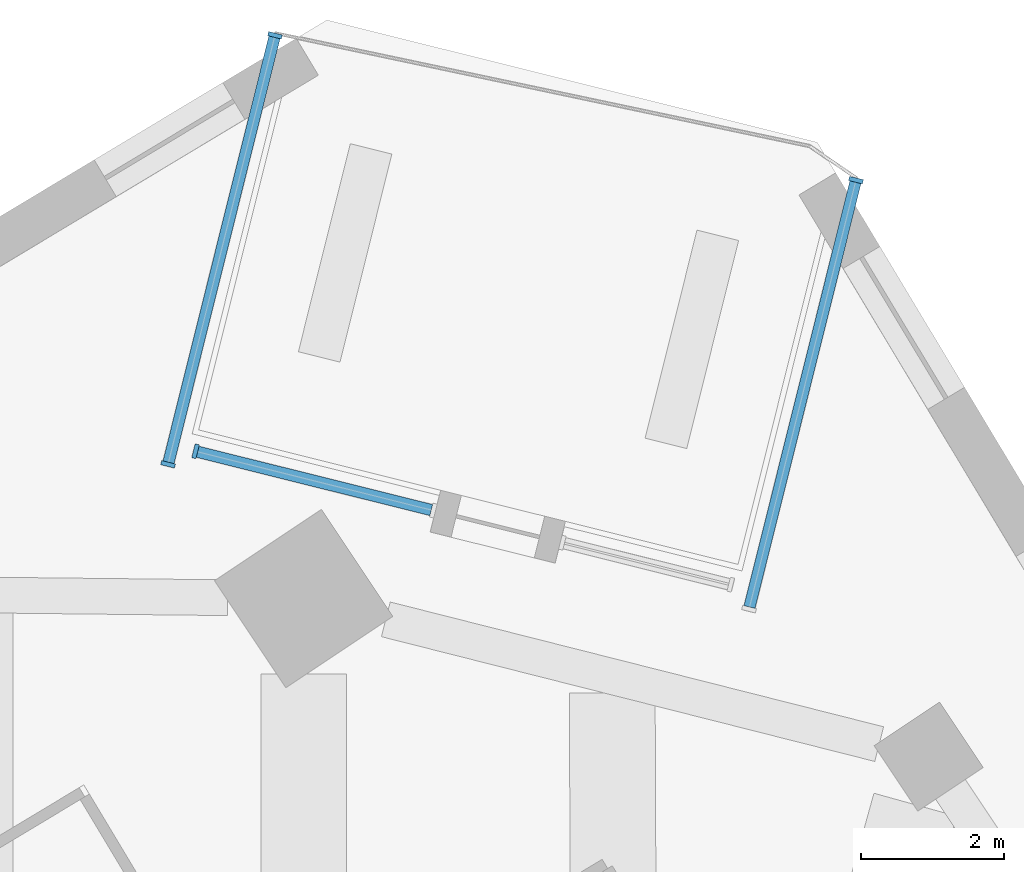
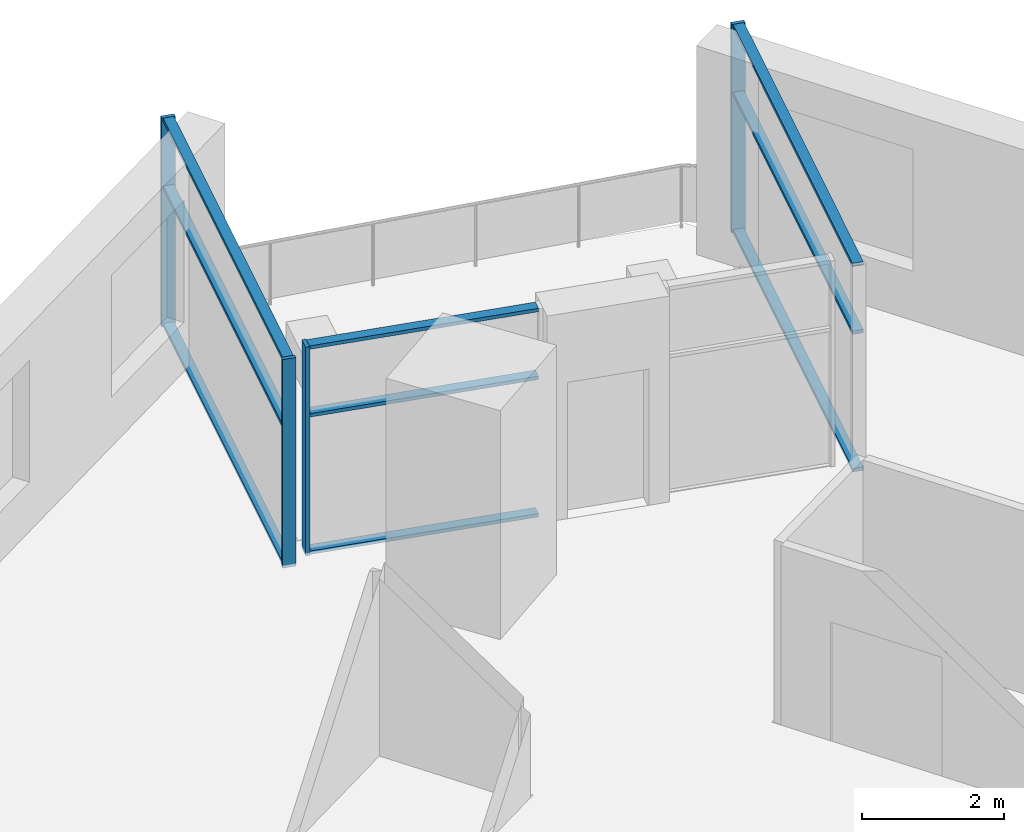
# One storey, part 4 of 14: 13 members, 3 elements without a shape of their own.
"""IFC4 building model written with IfcOpenShell, lengths in metres."""

from ifc_helpers import new_model, si_unit, direction, frame, origin, origin_2d, place, context, subcontext, project, spatial, rectangle, extrude, material, material_profile, profile_set, type_object, element, aggregate, save


model = new_model("IFC4")

# Units and contexts
model_context = context("Model", 3, precision=1e-05, world=origin(), true_north=direction((0.0, 1.0)))
body_context = subcontext(model_context, "Body", "Model", "MODEL_VIEW")
ifc_project = project(units=[si_unit("LENGTHUNIT", "METRE"), si_unit("AREAUNIT", "SQUARE_METRE"), si_unit("VOLUMEUNIT", "CUBIC_METRE"), si_unit("PLANEANGLEUNIT", "RADIAN"), si_unit("MASSUNIT", "GRAM", prefix="KILO")], contexts=[model_context])

# Site, building, storey
site_placement = place(None, origin())
site = spatial("IfcSite", under=ifc_project, at=site_placement, CompositionType="ELEMENT")
building_placement = place(site_placement, origin())
building = spatial("IfcBuilding", under=site, at=building_placement, Name="Dilmun Exchange Tower", CompositionType="ELEMENT")
storey_placement = place(building_placement, frame((0.0, 0.0, 151.699951171875)))
storey = spatial("IfcBuildingStorey", under=building, at=storey_placement, Name="L35", CompositionType="ELEMENT", Elevation=151.699951171875)

# Curtain wall, member
ifc_material_1 = material(Name="Anodised aluminium and clear glass", Category="aluminium")
curtain_wall_type = type_object("IfcCurtainWallType", Name="Garden corner glazing", PredefinedType="NOTDEFINED", material=ifc_material_1)
curtain_wall_1_placement = place(storey_placement, origin())
curtain_wall_1 = element("IfcCurtainWall", 1, at=curtain_wall_1_placement, inside=storey, type_object=curtain_wall_type, Name="Garden corner glazing run GC1.1", PredefinedType="NOTDEFINED")
ifc_material_2 = material(Name="Anodised aluminium", Category="aluminium")
ifc_material_profile_1 = material_profile(ifc_material_2, rectangle(XDim=0.199951171875, YDim=0.06005859375, at=origin_2d()), Name="AL 60x200")
ifc_profile_set_1 = profile_set([ifc_material_profile_1], Name="Anodised aluminium")
member_type_1 = type_object("IfcMemberType", Name="Garden corner glazing mullion 60 x 200", PredefinedType="MULLION", material=ifc_profile_set_1)
member_1_placement = place(storey_placement, frame((15.234619140625, 33.264404296875, 0.0), z_axis=(0.0, 0.0, 1.0), x_axis=(0.970297683836, -0.241914044119, 0.0)))
member_1 = element("IfcMember", 2, at=member_1_placement, type_object=member_type_1, Name="GC1.1 mullion 1", PredefinedType="MULLION", context=body_context, shape_type="SweptSolid", body=[
    extrude(rectangle(XDim=0.199951171875, YDim=0.06005859375, at=origin_2d()), origin(), (0.0, 0.0, 1.0), 3.60009765625),
])

curtain_wall_2_placement = place(storey_placement, origin())
curtain_wall_2 = element("IfcCurtainWall", 3, at=curtain_wall_2_placement, inside=storey, type_object=curtain_wall_type, Name="Garden corner glazing run GC2.3", PredefinedType="NOTDEFINED")
member_2_placement = place(storey_placement, frame((5.994140625, 29.470458984375, 0.0), z_axis=(0.0, 0.0, 1.0), x_axis=(-0.24189492487, -0.970302450436, 0.0)))
member_2 = element("IfcMember", 4, at=member_2_placement, type_object=member_type_1, Name="GC2.3 mullion 2", PredefinedType="MULLION", context=body_context, shape_type="SweptSolid", body=[
    extrude(rectangle(XDim=0.199951171875, YDim=0.06005859375, at=origin_2d()), origin(), (0.0, 0.0, 1.0), 3.60009765625),
])

# Curtain wall, members
curtain_wall_3_placement = place(storey_placement, origin())
curtain_wall_3 = element("IfcCurtainWall", 5, at=curtain_wall_3_placement, inside=storey, type_object=curtain_wall_type, Name="Garden corner glazing run GC3.1", PredefinedType="NOTDEFINED")
member_3_placement = place(storey_placement, frame((5.608642578125, 29.288330078125, 0.0), z_axis=(0.0, 0.0, 1.0), x_axis=(-0.970297683836, 0.241914044119, 0.0)))
member_3 = element("IfcMember", 6, at=member_3_placement, type_object=member_type_1, Name="GC3.1 mullion 1", PredefinedType="MULLION", context=body_context, shape_type="SweptSolid", body=[
    extrude(rectangle(XDim=0.199951171875, YDim=0.06005859375, at=origin_2d()), origin(), (0.0, 0.0, 1.0), 3.60009765625),
])
member_4_placement = place(storey_placement, frame((7.105224609375, 35.291015625, 0.0), z_axis=(0.0, 0.0, 1.0), x_axis=(-0.970297683836, 0.241914044119, 0.0)))
member_4 = element("IfcMember", 7, at=member_4_placement, type_object=member_type_1, Name="GC3.1 mullion 2", PredefinedType="MULLION", context=body_context, shape_type="SweptSolid", body=[
    extrude(rectangle(XDim=0.199951171875, YDim=0.06005859375, at=origin_2d()), origin(), (0.0, 0.0, 1.0), 3.60009765625),
])

# Member
ifc_material_profile_2 = material_profile(ifc_material_2, rectangle(XDim=0.159912109375, YDim=0.06005859375, at=origin_2d()), Name="AL 60x160")
ifc_profile_set_2 = profile_set([ifc_material_profile_2], Name="Anodised aluminium")
member_type_2 = type_object("IfcMemberType", Name="Garden corner glazing transom 60 x 160", PredefinedType="USERDEFINED", material=ifc_profile_set_2)
member_5_placement = place(storey_placement, frame((15.227294921875, 33.235107421875, 0.030029296875), z_axis=(-0.241935469338, -0.970292341862, 0.0), x_axis=(0.970292341862, -0.241935469338, 0.0)))
member_5 = element("IfcMember", 8, at=member_5_placement, type_object=member_type_2, Name="GC1.1 transom 1.1", ObjectType="TRANSOM", PredefinedType="USERDEFINED", context=body_context, shape_type="SweptSolid", body=[
    extrude(rectangle(XDim=0.159912109375, YDim=0.06005859375, at=origin_2d()), origin(), (0.0, 0.0, 1.0), 6.126220703125),
])

member_6_placement = place(storey_placement, frame((15.227294921875, 33.235107421875, 2.400146484375), z_axis=(-0.241935469338, -0.970292341862, 0.0), x_axis=(0.970292341862, -0.241935469338, 0.0)))
member_6 = element("IfcMember", 9, at=member_6_placement, type_object=member_type_2, Name="GC1.1 transom 1.2", ObjectType="TRANSOM", PredefinedType="USERDEFINED", context=body_context, shape_type="SweptSolid", body=[
    extrude(rectangle(XDim=0.159912109375, YDim=0.06005859375, at=origin_2d()), origin(), (0.0, 0.0, 1.0), 6.126220703125),
])

member_7_placement = place(storey_placement, frame((15.227294921875, 33.235107421875, 3.570068359375), z_axis=(-0.241935469338, -0.970292341862, 0.0), x_axis=(0.970292341862, -0.241935469338, 0.0)))
member_7 = element("IfcMember", 10, at=member_7_placement, type_object=member_type_2, Name="GC1.1 transom 1.3", ObjectType="TRANSOM", PredefinedType="USERDEFINED", context=body_context, shape_type="SweptSolid", body=[
    extrude(rectangle(XDim=0.159912109375, YDim=0.06005859375, at=origin_2d()), origin(), (0.0, 0.0, 1.0), 6.126220703125),
])

aggregate(curtain_wall_1, [member_1, member_5, member_6, member_7])

member_8_placement = place(storey_placement, frame((9.292236328125, 28.648193359375, 0.030029296875), z_axis=(-0.970287254091, 0.241955873145, 0.0), x_axis=(-0.241955873145, -0.970287254091, 0.0)))
member_8 = element("IfcMember", 11, at=member_8_placement, type_object=member_type_2, Name="GC2.3 transom 1.1", ObjectType="TRANSOM", PredefinedType="USERDEFINED", context=body_context, shape_type="SweptSolid", body=[
    extrude(rectangle(XDim=0.159912109375, YDim=0.06005859375, at=origin_2d()), origin(), (0.0, 0.0, 1.0), 3.369140625),
])

member_9_placement = place(storey_placement, frame((9.292236328125, 28.648193359375, 2.400146484375), z_axis=(-0.970287254091, 0.241955873145, 0.0), x_axis=(-0.241955873145, -0.970287254091, 0.0)))
member_9 = element("IfcMember", 12, at=member_9_placement, type_object=member_type_2, Name="GC2.3 transom 1.2", ObjectType="TRANSOM", PredefinedType="USERDEFINED", context=body_context, shape_type="SweptSolid", body=[
    extrude(rectangle(XDim=0.159912109375, YDim=0.06005859375, at=origin_2d()), origin(), (0.0, 0.0, 1.0), 3.369140625),
])

member_10_placement = place(storey_placement, frame((9.292236328125, 28.648193359375, 3.570068359375), z_axis=(-0.970287254091, 0.241955873145, 0.0), x_axis=(-0.241955873145, -0.970287254091, 0.0)))
member_10 = element("IfcMember", 13, at=member_10_placement, type_object=member_type_2, Name="GC2.3 transom 1.3", ObjectType="TRANSOM", PredefinedType="USERDEFINED", context=body_context, shape_type="SweptSolid", body=[
    extrude(rectangle(XDim=0.159912109375, YDim=0.06005859375, at=origin_2d()), origin(), (0.0, 0.0, 1.0), 3.369140625),
])

aggregate(curtain_wall_2, [member_2, member_8, member_9, member_10])

member_11_placement = place(storey_placement, frame((5.615966796875, 29.317626953125, 0.030029296875), z_axis=(0.241897950378, 0.970301696177, 0.0), x_axis=(-0.970301696177, 0.241897950378, 0.0)))
member_11 = element("IfcMember", 14, at=member_11_placement, type_object=member_type_2, Name="GC3.1 transom 1.1", ObjectType="TRANSOM", PredefinedType="USERDEFINED", context=body_context, shape_type="SweptSolid", body=[
    extrude(rectangle(XDim=0.159912109375, YDim=0.06005859375, at=origin_2d()), origin(), (0.0, 0.0, 1.0), 6.126220703125),
])

member_12_placement = place(storey_placement, frame((5.615966796875, 29.317626953125, 2.400146484375), z_axis=(0.241897950378, 0.970301696177, 0.0), x_axis=(-0.970301696177, 0.241897950378, 0.0)))
member_12 = element("IfcMember", 15, at=member_12_placement, type_object=member_type_2, Name="GC3.1 transom 1.2", ObjectType="TRANSOM", PredefinedType="USERDEFINED", context=body_context, shape_type="SweptSolid", body=[
    extrude(rectangle(XDim=0.159912109375, YDim=0.06005859375, at=origin_2d()), origin(), (0.0, 0.0, 1.0), 6.126220703125),
])

member_13_placement = place(storey_placement, frame((5.615966796875, 29.317626953125, 3.570068359375), z_axis=(0.241897950378, 0.970301696177, 0.0), x_axis=(-0.970301696177, 0.241897950378, 0.0)))
member_13 = element("IfcMember", 16, at=member_13_placement, type_object=member_type_2, Name="GC3.1 transom 1.3", ObjectType="TRANSOM", PredefinedType="USERDEFINED", context=body_context, shape_type="SweptSolid", body=[
    extrude(rectangle(XDim=0.159912109375, YDim=0.06005859375, at=origin_2d()), origin(), (0.0, 0.0, 1.0), 6.126220703125),
])

aggregate(curtain_wall_3, [member_3, member_4, member_11, member_12, member_13])

save(model, "model.ifc")
